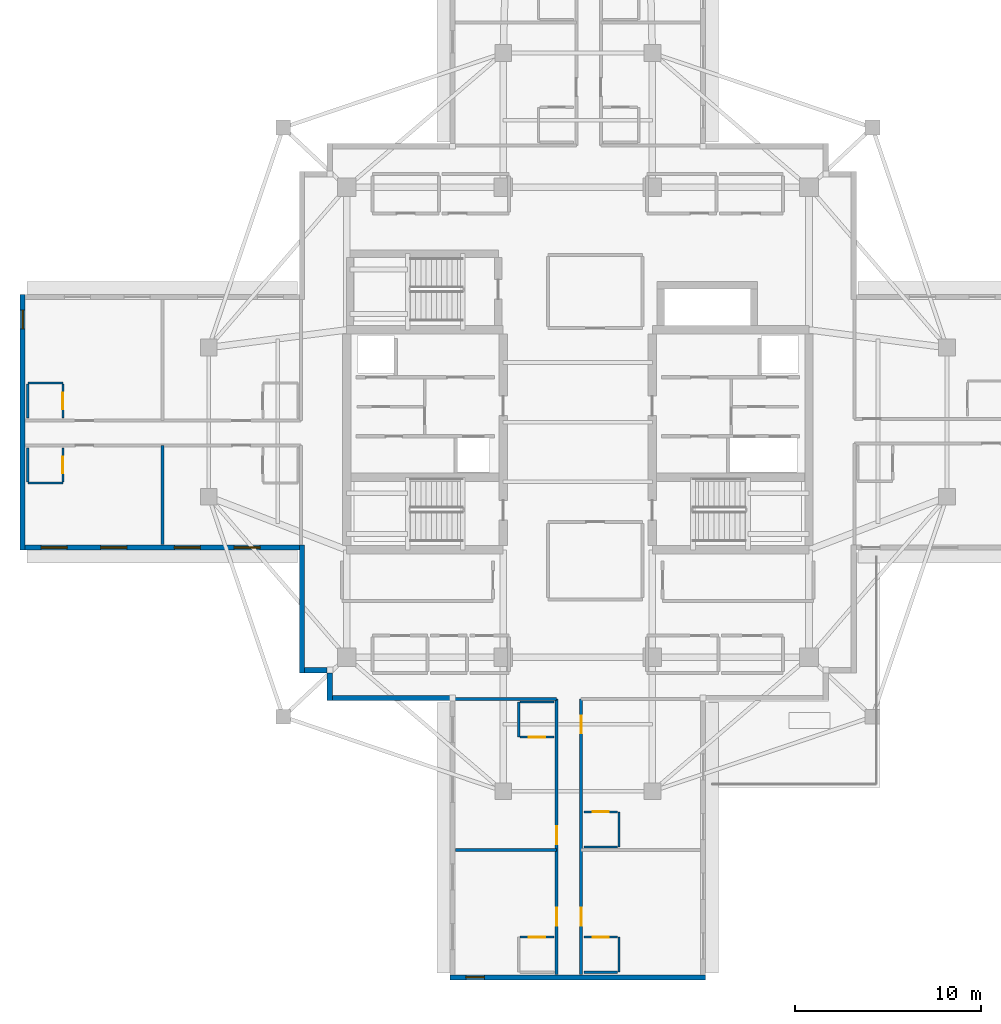
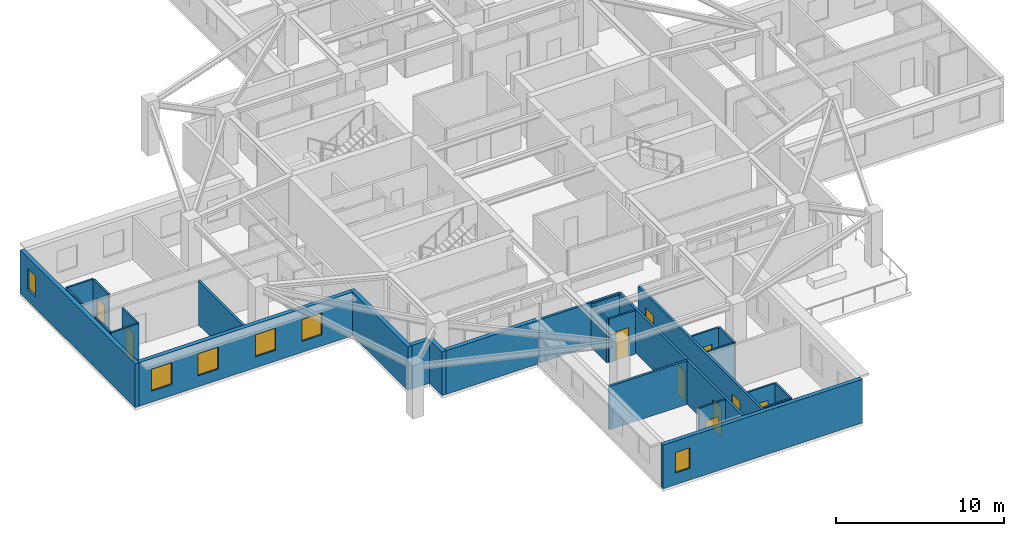
# One storey, part 3 of 13: 28 walls, 10 doors, 6 windows, 16 openings.
"""IFC4 building model written with IfcOpenShell, lengths in metres."""

from ifc_helpers import new_model, si_unit, direction, frame, frame_2d, origin, place, context, subcontext, project, spatial, rectangle, extrude, material, layer, layer_set, type_object, element, fill, save


model = new_model("IFC4")

# Units and contexts
model_context = context("Model", 3, precision=1e-05, world=origin(), true_north=direction((0.0, 1.0)))
body_context = subcontext(model_context, "Body", "Model", "MODEL_VIEW")
ifc_project = project(units=[si_unit("LENGTHUNIT", "METRE"), si_unit("AREAUNIT", "SQUARE_METRE"), si_unit("VOLUMEUNIT", "CUBIC_METRE"), si_unit("PLANEANGLEUNIT", "RADIAN"), si_unit("MASSUNIT", "GRAM", prefix="KILO")], contexts=[model_context])

# Site, building, storey
site_placement = place(None, origin())
site = spatial("IfcSite", under=ifc_project, at=site_placement, CompositionType="ELEMENT")
building_placement = place(site_placement, origin())
building = spatial("IfcBuilding", under=site, at=building_placement, Name="Qingluan Cross Belvedere", CompositionType="ELEMENT")
storey_placement = place(building_placement, frame((0.0, 0.0, 224.699951171875)))
storey = spatial("IfcBuildingStorey", under=building, at=storey_placement, Name="L56", CompositionType="ELEMENT", Elevation=224.699951171875)

# Wall
ifc_material_1 = material(Name="Gypsum plasterboard on steel stud acoustic partition", Category="steel")
ifc_layer_1 = layer(ifc_material_1, 0.159912109375, Name="CorridorPartition_160")
ifc_layer_set_1 = layer_set([ifc_layer_1], Name="Gypsum plasterboard on steel stud acoustic partition")
wall_type_1 = type_object("IfcWallType", Name="CorridorPartition_160", PredefinedType="PARTITIONING", material=ifc_layer_set_1)
wall_1_placement = place(storey_placement, frame((-22.26708984375, -1.239990234375, 0.0), z_axis=(0.0, 0.0, 1.0), x_axis=(0.0, -1.0, 0.0)))
element("IfcWall", 1, at=wall_1_placement, inside=storey, type_object=wall_type_1, Name="Partition L56:W:d1_0", PredefinedType="PARTITIONING", context=body_context, shape_type="SweptSolid", body=[
    extrude(rectangle(XDim=5.33203125, YDim=0.159912109375, at=frame_2d((2.666015625, 0.0))), origin(), (0.0, 0.0, 1.0), 3.170166015625),
])

# Wall, openings, doors
wall_2_placement = place(storey_placement, frame((0.179931640625, -14.85009765625, 0.0), z_axis=(0.0, 0.0, 1.0), x_axis=(0.0, -1.0, 0.0)))
wall_2 = element("IfcWall", 2, at=wall_2_placement, inside=storey, type_object=wall_type_1, Name="Partition L56:S:c0", PredefinedType="PARTITIONING", context=body_context, shape_type="SweptSolid", body=[
    extrude(rectangle(XDim=14.781982421875, YDim=0.159912109375, at=frame_2d((7.39111328125, 0.0))), origin(), (0.0, 0.0, 1.0), 3.170166015625),
])
opening_1_placement = place(wall_2_placement, frame((0.884033203125, 0.0, 0.0)))
opening_1 = element("IfcOpeningElement", 3, at=opening_1_placement, cuts=wall_2, Name="Opening GD-10", PredefinedType="OPENING", context=body_context, shape_type="SweptSolid", body=[
    extrude(rectangle(XDim=0.9599609375, YDim=2.14990234375, at=frame_2d((0.47998046875, 1.074951171875))), frame((0.0, 0.08984375, 0.0), z_axis=(0.0, -1.0, 0.0), x_axis=(1.0, 0.0, 0.0)), (0.0, 0.0, 1.0), 0.179931640625),
])
opening_2_placement = place(wall_2_placement, frame((11.197998046875, 0.0, 0.0)))
opening_2 = element("IfcOpeningElement", 4, at=opening_2_placement, cuts=wall_2, Name="Opening GD-10", PredefinedType="OPENING", context=body_context, shape_type="SweptSolid", body=[
    extrude(rectangle(XDim=0.9599609375, YDim=2.14990234375, at=frame_2d((0.47998046875, 1.074951171875))), frame((0.0, 0.08984375, 0.0), z_axis=(0.0, -1.0, 0.0), x_axis=(1.0, 0.0, 0.0)), (0.0, 0.0, 1.0), 0.179931640625),
])
ifc_material_2 = material(Name="Timber oak fire-rated acoustic guestroom door", Category="wood")
door_type_1 = type_object("IfcDoorType", Name="GuestEntryDoor_FD60", OperationType="NOTDEFINED", PredefinedType="DOOR", material=ifc_material_2)
door_1_placement = place(opening_1_placement, origin())
door_1 = element("IfcDoor", 5, at=door_1_placement, inside=storey, type_object=door_type_1, Name="Guest entry fire door 5615", OperationType="SINGLE_SWING_LEFT", OverallHeight=2.14990234375, OverallWidth=0.9599609375, PredefinedType="DOOR", context=body_context, shape_type="SweptSolid", body=[
    extrude(rectangle(XDim=0.9599609375, YDim=2.14990234375, at=frame_2d((0.47998046875, 1.074951171875))), frame((0.0, 0.02490234375, 0.0), z_axis=(0.0, -1.0, 0.0), x_axis=(1.0, 0.0, 0.0)), (0.0, 0.0, 1.0), 0.050048828125),
])
fill(opening_1, door_1)
door_2_placement = place(opening_2_placement, origin())
door_2 = element("IfcDoor", 6, at=door_2_placement, inside=storey, type_object=door_type_1, Name="Guest entry fire door 5616", OperationType="SINGLE_SWING_LEFT", OverallHeight=2.14990234375, OverallWidth=0.9599609375, PredefinedType="DOOR", context=body_context, shape_type="SweptSolid", body=[
    extrude(rectangle(XDim=0.9599609375, YDim=2.14990234375, at=frame_2d((0.47998046875, 1.074951171875))), frame((0.0, 0.02490234375, 0.0), z_axis=(0.0, -1.0, 0.0), x_axis=(1.0, 0.0, 0.0)), (0.0, 0.0, 1.0), 0.050048828125),
])
fill(opening_2, door_2)

wall_3_placement = place(storey_placement, frame((-1.139892578125, -14.85009765625, 0.0), z_axis=(0.0, 0.0, 1.0), x_axis=(0.0, -1.0, 0.0)))
wall_3 = element("IfcWall", 7, at=wall_3_placement, inside=storey, type_object=wall_type_1, Name="Partition L56:S:c1", PredefinedType="PARTITIONING", context=body_context, shape_type="SweptSolid", body=[
    extrude(rectangle(XDim=14.781982421875, YDim=0.159912109375, at=frame_2d((7.39111328125, 0.0))), origin(), (0.0, 0.0, 1.0), 3.170166015625),
])
opening_3_placement = place(wall_3_placement, frame((6.83203125, 0.0, 0.0)))
opening_3 = element("IfcOpeningElement", 8, at=opening_3_placement, cuts=wall_3, Name="Opening GD-10", PredefinedType="OPENING", context=body_context, shape_type="SweptSolid", body=[
    extrude(rectangle(XDim=0.9599609375, YDim=2.14990234375, at=frame_2d((0.47998046875, 1.074951171875))), frame((0.0, 0.08984375, 0.0), z_axis=(0.0, -1.0, 0.0), x_axis=(1.0, 0.0, 0.0)), (0.0, 0.0, 1.0), 0.179931640625),
])
opening_4_placement = place(wall_3_placement, frame((11.197998046875, 0.0, 0.0)))
opening_4 = element("IfcOpeningElement", 9, at=opening_4_placement, cuts=wall_3, Name="Opening GD-10", PredefinedType="OPENING", context=body_context, shape_type="SweptSolid", body=[
    extrude(rectangle(XDim=0.9599609375, YDim=2.14990234375, at=frame_2d((0.47998046875, 1.074951171875))), frame((0.0, 0.08984375, 0.0), z_axis=(0.0, -1.0, 0.0), x_axis=(1.0, 0.0, 0.0)), (0.0, 0.0, 1.0), 0.179931640625),
])
door_3_placement = place(opening_3_placement, origin())
door_3 = element("IfcDoor", 10, at=door_3_placement, inside=storey, type_object=door_type_1, Name="Guest entry fire door 5617", OperationType="SINGLE_SWING_LEFT", OverallHeight=2.14990234375, OverallWidth=0.9599609375, PredefinedType="DOOR", context=body_context, shape_type="SweptSolid", body=[
    extrude(rectangle(XDim=0.9599609375, YDim=2.14990234375, at=frame_2d((0.47998046875, 1.074951171875))), frame((0.0, 0.02490234375, 0.0), z_axis=(0.0, -1.0, 0.0), x_axis=(1.0, 0.0, 0.0)), (0.0, 0.0, 1.0), 0.050048828125),
])
fill(opening_3, door_3)
door_4_placement = place(opening_4_placement, origin())
door_4 = element("IfcDoor", 11, at=door_4_placement, inside=storey, type_object=door_type_1, Name="Guest entry fire door 5618", OperationType="SINGLE_SWING_LEFT", OverallHeight=2.14990234375, OverallWidth=0.9599609375, PredefinedType="DOOR", context=body_context, shape_type="SweptSolid", body=[
    extrude(rectangle(XDim=0.9599609375, YDim=2.14990234375, at=frame_2d((0.47998046875, 1.074951171875))), frame((0.0, 0.02490234375, 0.0), z_axis=(0.0, -1.0, 0.0), x_axis=(1.0, 0.0, 0.0)), (0.0, 0.0, 1.0), 0.050048828125),
])
fill(opening_4, door_4)

# Walls
wall_4_placement = place(storey_placement, frame((-1.139892578125, -14.85009765625, 0.0), z_axis=(0.0, 0.0, 1.0), x_axis=(-1.0, 0.0, 0.0)))
element("IfcWall", 12, at=wall_4_placement, inside=storey, type_object=wall_type_1, Name="Partition L56:S:s1", PredefinedType="PARTITIONING", context=body_context, shape_type="SweptSolid", body=[
    extrude(rectangle(XDim=5.580078125, YDim=0.159912109375, at=frame_2d((2.7900390625, 0.0))), origin(), (0.0, 0.0, 1.0), 3.170166015625),
])
wall_5_placement = place(storey_placement, frame((-1.139892578125, -22.94189453125, 0.0), z_axis=(0.0, 0.0, 1.0), x_axis=(-1.0, 0.0, 0.0)))
element("IfcWall", 13, at=wall_5_placement, inside=storey, type_object=wall_type_1, Name="Partition L56:S:d1_0", PredefinedType="PARTITIONING", context=body_context, shape_type="SweptSolid", body=[
    extrude(rectangle(XDim=5.43212890625, YDim=0.159912109375, at=frame_2d((2.716064453125, 0.0))), origin(), (0.0, 0.0, 1.0), 3.170166015625),
])

# Wall, opening, door
ifc_material_3 = material(Name="Moisture-resistant gypsum board lining")
ifc_layer_2 = layer(ifc_material_3, 0.1201171875, Name="EnsuiteWetPartition_120")
ifc_layer_set_2 = layer_set([ifc_layer_2], Name="Moisture-resistant gypsum board lining")
wall_type_2 = type_object("IfcWallType", Name="EnsuiteWetPartition_120", PredefinedType="PARTITIONING", material=ifc_layer_set_2)
wall_6_placement = place(storey_placement, frame((-27.6201171875, 0.219970703125, 0.0), z_axis=(0.0, 0.0, 1.0), x_axis=(0.0, 1.0, 0.0)))
wall_6 = element("IfcWall", 14, at=wall_6_placement, inside=storey, type_object=wall_type_2, Name="Partition L56:W:bs0_1", PredefinedType="PARTITIONING", context=body_context, shape_type="SweptSolid", body=[
    extrude(rectangle(XDim=1.820068359375, YDim=0.1201171875, at=frame_2d((0.91015625, 0.0))), origin(), (0.0, 0.0, 1.0), 3.170166015625),
])
opening_5_placement = place(wall_6_placement, frame((0.469970703125, 0.0, 0.0)))
opening_5 = element("IfcOpeningElement", 15, at=opening_5_placement, cuts=wall_6, Name="Opening BD-09", PredefinedType="OPENING", context=body_context, shape_type="SweptSolid", body=[
    extrude(rectangle(XDim=0.8798828125, YDim=2.10009765625, at=frame_2d((0.43994140625, 1.050048828125))), frame((0.0, 0.070068359375, 0.0), z_axis=(0.0, -1.0, 0.0), x_axis=(1.0, 0.0, 0.0)), (0.0, 0.0, 1.0), 0.14013671875),
])
ifc_material_4 = material(Name="Moisture-sealed timber en-suite door", Category="wood")
door_type_2 = type_object("IfcDoorType", Name="BathroomDoor_880", OperationType="NOTDEFINED", PredefinedType="DOOR", material=ifc_material_4)
door_5_placement = place(opening_5_placement, origin())
door_5 = element("IfcDoor", 16, at=door_5_placement, inside=storey, type_object=door_type_2, Name="Bathroom door 5606", OperationType="SINGLE_SWING_RIGHT", OverallHeight=2.10009765625, OverallWidth=0.8798828125, PredefinedType="DOOR", context=body_context, shape_type="SweptSolid", body=[
    extrude(rectangle(XDim=0.8798828125, YDim=2.10009765625, at=frame_2d((0.43994140625, 1.050048828125))), frame((0.0, 0.02490234375, 0.0), z_axis=(0.0, -1.0, 0.0), x_axis=(1.0, 0.0, 0.0)), (0.0, 0.0, 1.0), 0.050048828125),
])
fill(opening_5, door_5)

# Walls
wall_7_placement = place(storey_placement, frame((-29.5, 0.219970703125, 0.0), z_axis=(0.0, 0.0, 1.0), x_axis=(0.0, 1.0, 0.0)))
element("IfcWall", 17, at=wall_7_placement, inside=storey, type_object=wall_type_2, Name="Partition L56:W:bw0_1", PredefinedType="PARTITIONING", context=body_context, shape_type="SweptSolid", body=[
    extrude(rectangle(XDim=1.820068359375, YDim=0.1201171875, at=frame_2d((0.91015625, 0.0))), origin(), (0.0, 0.0, 1.0), 3.170166015625),
])
wall_8_placement = place(storey_placement, frame((-27.6201171875, 2.10498046875, 0.0), z_axis=(0.0, 0.0, 1.0), x_axis=(-1.0, 0.0, 0.0)))
element("IfcWall", 18, at=wall_8_placement, inside=storey, type_object=wall_type_2, Name="Partition L56:W:bn0_1", PredefinedType="PARTITIONING", context=body_context, shape_type="SweptSolid", body=[
    extrude(rectangle(XDim=1.8798828125, YDim=0.1201171875, at=frame_2d((0.93994140625, 0.0))), origin(), (0.0, 0.0, 1.0), 3.170166015625),
])

# Wall, opening, door
wall_9_placement = place(storey_placement, frame((-27.6201171875, -3.199951171875, 0.0), z_axis=(0.0, 0.0, 1.0), x_axis=(0.0, 1.0, 0.0)))
wall_9 = element("IfcWall", 19, at=wall_9_placement, inside=storey, type_object=wall_type_2, Name="Partition L56:W:bs1_1", PredefinedType="PARTITIONING", context=body_context, shape_type="SweptSolid", body=[
    extrude(rectangle(XDim=1.820068359375, YDim=0.1201171875, at=frame_2d((0.91015625, 0.0))), origin(), (0.0, 0.0, 1.0), 3.170166015625),
])
opening_6_placement = place(wall_9_placement, frame((0.469970703125, 0.0, 0.0)))
opening_6 = element("IfcOpeningElement", 20, at=opening_6_placement, cuts=wall_9, Name="Opening BD-09", PredefinedType="OPENING", context=body_context, shape_type="SweptSolid", body=[
    extrude(rectangle(XDim=0.8798828125, YDim=2.10009765625, at=frame_2d((0.43994140625, 1.050048828125))), frame((0.0, 0.070068359375, 0.0), z_axis=(0.0, -1.0, 0.0), x_axis=(1.0, 0.0, 0.0)), (0.0, 0.0, 1.0), 0.14013671875),
])
door_6_placement = place(opening_6_placement, origin())
door_6 = element("IfcDoor", 21, at=door_6_placement, inside=storey, type_object=door_type_2, Name="Bathroom door 5608", OperationType="SINGLE_SWING_RIGHT", OverallHeight=2.10009765625, OverallWidth=0.8798828125, PredefinedType="DOOR", context=body_context, shape_type="SweptSolid", body=[
    extrude(rectangle(XDim=0.8798828125, YDim=2.10009765625, at=frame_2d((0.43994140625, 1.050048828125))), frame((0.0, 0.02490234375, 0.0), z_axis=(0.0, -1.0, 0.0), x_axis=(1.0, 0.0, 0.0)), (0.0, 0.0, 1.0), 0.050048828125),
])
fill(opening_6, door_6)

# Walls
wall_10_placement = place(storey_placement, frame((-29.5, -3.199951171875, 0.0), z_axis=(0.0, 0.0, 1.0), x_axis=(0.0, 1.0, 0.0)))
element("IfcWall", 22, at=wall_10_placement, inside=storey, type_object=wall_type_2, Name="Partition L56:W:bw1_1", PredefinedType="PARTITIONING", context=body_context, shape_type="SweptSolid", body=[
    extrude(rectangle(XDim=1.820068359375, YDim=0.1201171875, at=frame_2d((0.91015625, 0.0))), origin(), (0.0, 0.0, 1.0), 3.170166015625),
])
wall_11_placement = place(storey_placement, frame((-27.6201171875, -3.264892578125, 0.0), z_axis=(0.0, 0.0, 1.0), x_axis=(-1.0, 0.0, 0.0)))
element("IfcWall", 23, at=wall_11_placement, inside=storey, type_object=wall_type_2, Name="Partition L56:W:bc1_1", PredefinedType="PARTITIONING", context=body_context, shape_type="SweptSolid", body=[
    extrude(rectangle(XDim=1.8798828125, YDim=0.1201171875, at=frame_2d((0.93994140625, 0.0))), origin(), (0.0, 0.0, 1.0), 3.170166015625),
])

# Wall, opening, door
wall_12_placement = place(storey_placement, frame((0.320068359375, -20.902099609375, 0.0), z_axis=(0.0, 0.0, 1.0), x_axis=(1.0, 0.0, 0.0)))
wall_12 = element("IfcWall", 24, at=wall_12_placement, inside=storey, type_object=wall_type_2, Name="Partition L56:S:bs0_0", PredefinedType="PARTITIONING", context=body_context, shape_type="SweptSolid", body=[
    extrude(rectangle(XDim=1.81982421875, YDim=0.1201171875, at=frame_2d((0.909912109375, 0.0))), origin(), (0.0, 0.0, 1.0), 3.170166015625),
])
opening_7_placement = place(wall_12_placement, frame((0.469970703125, 0.0, 0.0)))
opening_7 = element("IfcOpeningElement", 25, at=opening_7_placement, cuts=wall_12, Name="Opening BD-09", PredefinedType="OPENING", context=body_context, shape_type="SweptSolid", body=[
    extrude(rectangle(XDim=0.8798828125, YDim=2.10009765625, at=frame_2d((0.43994140625, 1.050048828125))), frame((0.0, 0.070068359375, 0.0), z_axis=(0.0, -1.0, 0.0), x_axis=(1.0, 0.0, 0.0)), (0.0, 0.0, 1.0), 0.14013671875),
])
door_7_placement = place(opening_7_placement, origin())
door_7 = element("IfcDoor", 26, at=door_7_placement, inside=storey, type_object=door_type_2, Name="Bathroom door 5615", OperationType="SINGLE_SWING_RIGHT", OverallHeight=2.10009765625, OverallWidth=0.8798828125, PredefinedType="DOOR", context=body_context, shape_type="SweptSolid", body=[
    extrude(rectangle(XDim=0.8798828125, YDim=2.10009765625, at=frame_2d((0.43994140625, 1.050048828125))), frame((0.0, 0.02490234375, 0.0), z_axis=(0.0, -1.0, 0.0), x_axis=(1.0, 0.0, 0.0)), (0.0, 0.0, 1.0), 0.050048828125),
])
fill(opening_7, door_7)

# Walls
wall_13_placement = place(storey_placement, frame((0.320068359375, -22.781982421875, 0.0), z_axis=(0.0, 0.0, 1.0), x_axis=(1.0, 0.0, 0.0)))
element("IfcWall", 27, at=wall_13_placement, inside=storey, type_object=wall_type_2, Name="Partition L56:S:bw0_0", PredefinedType="PARTITIONING", context=body_context, shape_type="SweptSolid", body=[
    extrude(rectangle(XDim=1.81982421875, YDim=0.1201171875, at=frame_2d((0.909912109375, 0.0))), origin(), (0.0, 0.0, 1.0), 3.170166015625),
])
wall_14_placement = place(storey_placement, frame((2.205078125, -20.902099609375, 0.0), z_axis=(0.0, 0.0, 1.0), x_axis=(0.0, -1.0, 0.0)))
element("IfcWall", 28, at=wall_14_placement, inside=storey, type_object=wall_type_2, Name="Partition L56:S:bn0_0", PredefinedType="PARTITIONING", context=body_context, shape_type="SweptSolid", body=[
    extrude(rectangle(XDim=1.8798828125, YDim=0.1201171875, at=frame_2d((0.93994140625, 0.0))), origin(), (0.0, 0.0, 1.0), 3.170166015625),
])

# Wall, opening, door
wall_15_placement = place(storey_placement, frame((0.320068359375, -27.6201171875, 0.0), z_axis=(0.0, 0.0, 1.0), x_axis=(1.0, 0.0, 0.0)))
wall_15 = element("IfcWall", 29, at=wall_15_placement, inside=storey, type_object=wall_type_2, Name="Partition L56:S:bs0_1", PredefinedType="PARTITIONING", context=body_context, shape_type="SweptSolid", body=[
    extrude(rectangle(XDim=1.81982421875, YDim=0.1201171875, at=frame_2d((0.909912109375, 0.0))), origin(), (0.0, 0.0, 1.0), 3.170166015625),
])
opening_8_placement = place(wall_15_placement, frame((0.469970703125, 0.0, 0.0)))
opening_8 = element("IfcOpeningElement", 30, at=opening_8_placement, cuts=wall_15, Name="Opening BD-09", PredefinedType="OPENING", context=body_context, shape_type="SweptSolid", body=[
    extrude(rectangle(XDim=0.8798828125, YDim=2.10009765625, at=frame_2d((0.43994140625, 1.050048828125))), frame((0.0, 0.070068359375, 0.0), z_axis=(0.0, -1.0, 0.0), x_axis=(1.0, 0.0, 0.0)), (0.0, 0.0, 1.0), 0.14013671875),
])
door_8_placement = place(opening_8_placement, origin())
door_8 = element("IfcDoor", 31, at=door_8_placement, inside=storey, type_object=door_type_2, Name="Bathroom door 5616", OperationType="SINGLE_SWING_RIGHT", OverallHeight=2.10009765625, OverallWidth=0.8798828125, PredefinedType="DOOR", context=body_context, shape_type="SweptSolid", body=[
    extrude(rectangle(XDim=0.8798828125, YDim=2.10009765625, at=frame_2d((0.43994140625, 1.050048828125))), frame((0.0, 0.02490234375, 0.0), z_axis=(0.0, -1.0, 0.0), x_axis=(1.0, 0.0, 0.0)), (0.0, 0.0, 1.0), 0.050048828125),
])
fill(opening_8, door_8)

# Walls
wall_16_placement = place(storey_placement, frame((0.320068359375, -29.5, 0.0), z_axis=(0.0, 0.0, 1.0), x_axis=(1.0, 0.0, 0.0)))
element("IfcWall", 32, at=wall_16_placement, inside=storey, type_object=wall_type_2, Name="Partition L56:S:bw0_1", PredefinedType="PARTITIONING", context=body_context, shape_type="SweptSolid", body=[
    extrude(rectangle(XDim=1.81982421875, YDim=0.1201171875, at=frame_2d((0.909912109375, 0.0))), origin(), (0.0, 0.0, 1.0), 3.170166015625),
])
wall_17_placement = place(storey_placement, frame((2.205078125, -27.6201171875, 0.0), z_axis=(0.0, 0.0, 1.0), x_axis=(0.0, -1.0, 0.0)))
element("IfcWall", 33, at=wall_17_placement, inside=storey, type_object=wall_type_2, Name="Partition L56:S:bn0_1", PredefinedType="PARTITIONING", context=body_context, shape_type="SweptSolid", body=[
    extrude(rectangle(XDim=1.8798828125, YDim=0.1201171875, at=frame_2d((0.93994140625, 0.0))), origin(), (0.0, 0.0, 1.0), 3.170166015625),
])

# Wall, opening, door
wall_18_placement = place(storey_placement, frame((-3.10009765625, -16.889892578125, 0.0), z_axis=(0.0, 0.0, 1.0), x_axis=(1.0, 0.0, 0.0)))
wall_18 = element("IfcWall", 34, at=wall_18_placement, inside=storey, type_object=wall_type_2, Name="Partition L56:S:bs1_0", PredefinedType="PARTITIONING", context=body_context, shape_type="SweptSolid", body=[
    extrude(rectangle(XDim=1.820068359375, YDim=0.1201171875, at=frame_2d((0.91015625, 0.0))), origin(), (0.0, 0.0, 1.0), 3.170166015625),
])
opening_9_placement = place(wall_18_placement, frame((0.469970703125, 0.0, 0.0)))
opening_9 = element("IfcOpeningElement", 35, at=opening_9_placement, cuts=wall_18, Name="Opening BD-09", PredefinedType="OPENING", context=body_context, shape_type="SweptSolid", body=[
    extrude(rectangle(XDim=0.8798828125, YDim=2.10009765625, at=frame_2d((0.43994140625, 1.050048828125))), frame((0.0, 0.070068359375, 0.0), z_axis=(0.0, -1.0, 0.0), x_axis=(1.0, 0.0, 0.0)), (0.0, 0.0, 1.0), 0.14013671875),
])
door_9_placement = place(opening_9_placement, origin())
door_9 = element("IfcDoor", 36, at=door_9_placement, inside=storey, type_object=door_type_2, Name="Bathroom door 5617", OperationType="SINGLE_SWING_RIGHT", OverallHeight=2.10009765625, OverallWidth=0.8798828125, PredefinedType="DOOR", context=body_context, shape_type="SweptSolid", body=[
    extrude(rectangle(XDim=0.8798828125, YDim=2.10009765625, at=frame_2d((0.43994140625, 1.050048828125))), frame((0.0, 0.02490234375, 0.0), z_axis=(0.0, -1.0, 0.0), x_axis=(1.0, 0.0, 0.0)), (0.0, 0.0, 1.0), 0.050048828125),
])
fill(opening_9, door_9)

# Walls
wall_19_placement = place(storey_placement, frame((-3.10009765625, -15.010009765625, 0.0), z_axis=(0.0, 0.0, 1.0), x_axis=(1.0, 0.0, 0.0)))
element("IfcWall", 37, at=wall_19_placement, inside=storey, type_object=wall_type_2, Name="Partition L56:S:bw1_0", PredefinedType="PARTITIONING", context=body_context, shape_type="SweptSolid", body=[
    extrude(rectangle(XDim=1.820068359375, YDim=0.1201171875, at=frame_2d((0.91015625, 0.0))), origin(), (0.0, 0.0, 1.0), 3.170166015625),
])
wall_20_placement = place(storey_placement, frame((-3.1650390625, -15.010009765625, 0.0), z_axis=(0.0, 0.0, 1.0), x_axis=(0.0, -1.0, 0.0)))
element("IfcWall", 38, at=wall_20_placement, inside=storey, type_object=wall_type_2, Name="Partition L56:S:bc1_0", PredefinedType="PARTITIONING", context=body_context, shape_type="SweptSolid", body=[
    extrude(rectangle(XDim=1.8798828125, YDim=0.1201171875, at=frame_2d((0.93994140625, 0.0))), origin(), (0.0, 0.0, 1.0), 3.170166015625),
])

# Wall, opening, door
wall_21_placement = place(storey_placement, frame((-3.10009765625, -27.6201171875, 0.0), z_axis=(0.0, 0.0, 1.0), x_axis=(1.0, 0.0, 0.0)))
wall_21 = element("IfcWall", 39, at=wall_21_placement, inside=storey, type_object=wall_type_2, Name="Partition L56:S:bs1_1", PredefinedType="PARTITIONING", context=body_context, shape_type="SweptSolid", body=[
    extrude(rectangle(XDim=1.820068359375, YDim=0.1201171875, at=frame_2d((0.91015625, 0.0))), origin(), (0.0, 0.0, 1.0), 3.170166015625),
])
opening_10_placement = place(wall_21_placement, frame((0.469970703125, 0.0, 0.0)))
opening_10 = element("IfcOpeningElement", 40, at=opening_10_placement, cuts=wall_21, Name="Opening BD-09", PredefinedType="OPENING", context=body_context, shape_type="SweptSolid", body=[
    extrude(rectangle(XDim=0.8798828125, YDim=2.10009765625, at=frame_2d((0.43994140625, 1.050048828125))), frame((0.0, 0.070068359375, 0.0), z_axis=(0.0, -1.0, 0.0), x_axis=(1.0, 0.0, 0.0)), (0.0, 0.0, 1.0), 0.14013671875),
])
door_10_placement = place(opening_10_placement, origin())
door_10 = element("IfcDoor", 41, at=door_10_placement, inside=storey, type_object=door_type_2, Name="Bathroom door 5618", OperationType="SINGLE_SWING_RIGHT", OverallHeight=2.10009765625, OverallWidth=0.8798828125, PredefinedType="DOOR", context=body_context, shape_type="SweptSolid", body=[
    extrude(rectangle(XDim=0.8798828125, YDim=2.10009765625, at=frame_2d((0.43994140625, 1.050048828125))), frame((0.0, 0.02490234375, 0.0), z_axis=(0.0, -1.0, 0.0), x_axis=(1.0, 0.0, 0.0)), (0.0, 0.0, 1.0), 0.050048828125),
])
fill(opening_10, door_10)

# Wall, openings, windows
ifc_material_5 = material(Name="Precast concrete C45", Category="concrete")
ifc_layer_3 = layer(ifc_material_5, 0.280029296875, Name="PrecastFacadeWall_280")
ifc_layer_set_3 = layer_set([ifc_layer_3], Name="Precast concrete C45")
wall_type_3 = type_object("IfcWallType", Name="PrecastFacadeWall_280", PredefinedType="STANDARD", material=ifc_layer_set_3)
wall_22_placement = place(storey_placement, frame((-29.639892578125, -6.719970703125, 0.0), z_axis=(0.0, 0.0, 1.0), x_axis=(1.0, 0.0, 0.0)))
wall_22 = element("IfcWall", 42, at=wall_22_placement, inside=storey, type_object=wall_type_3, Name="Facade wall L56-WB", PredefinedType="STANDARD", context=body_context, shape_type="SweptSolid", body=[
    extrude(rectangle(XDim=14.699951171875, YDim=0.280029296875, at=frame_2d((7.35009765625, 0.0))), origin(), (0.0, 0.0, 1.0), 3.179931640625),
])
opening_11_placement = place(wall_22_placement, frame((0.85009765625, 0.0, 0.800048828125)))
opening_11 = element("IfcOpeningElement", 43, at=opening_11_placement, cuts=wall_22, Name="Opening W-01", PredefinedType="OPENING", context=body_context, shape_type="SweptSolid", body=[
    extrude(rectangle(XDim=1.39990234375, YDim=1.60009765625, at=frame_2d((0.699951171875, 0.800048828125))), frame((0.0, 0.14990234375, 0.0), z_axis=(0.0, -1.0, 0.0), x_axis=(1.0, 0.0, 0.0)), (0.0, 0.0, 1.0), 0.300048828125),
])
opening_12_placement = place(wall_22_placement, frame((4.050048828125, 0.0, 0.800048828125)))
opening_12 = element("IfcOpeningElement", 44, at=opening_12_placement, cuts=wall_22, Name="Opening W-01", PredefinedType="OPENING", context=body_context, shape_type="SweptSolid", body=[
    extrude(rectangle(XDim=1.39990234375, YDim=1.60009765625, at=frame_2d((0.699951171875, 0.800048828125))), frame((0.0, 0.14990234375, 0.0), z_axis=(0.0, -1.0, 0.0), x_axis=(1.0, 0.0, 0.0)), (0.0, 0.0, 1.0), 0.300048828125),
])
opening_13_placement = place(wall_22_placement, frame((8.0, 0.0, 0.800048828125)))
opening_13 = element("IfcOpeningElement", 45, at=opening_13_placement, cuts=wall_22, Name="Opening W-01", PredefinedType="OPENING", context=body_context, shape_type="SweptSolid", body=[
    extrude(rectangle(XDim=1.39990234375, YDim=1.60009765625, at=frame_2d((0.699951171875, 0.800048828125))), frame((0.0, 0.14990234375, 0.0), z_axis=(0.0, -1.0, 0.0), x_axis=(1.0, 0.0, 0.0)), (0.0, 0.0, 1.0), 0.300048828125),
])
opening_14_placement = place(wall_22_placement, frame((11.199951171875, 0.0, 0.800048828125)))
opening_14 = element("IfcOpeningElement", 46, at=opening_14_placement, cuts=wall_22, Name="Opening W-01", PredefinedType="OPENING", context=body_context, shape_type="SweptSolid", body=[
    extrude(rectangle(XDim=1.39990234375, YDim=1.60009765625, at=frame_2d((0.699951171875, 0.800048828125))), frame((0.0, 0.14990234375, 0.0), z_axis=(0.0, -1.0, 0.0), x_axis=(1.0, 0.0, 0.0)), (0.0, 0.0, 1.0), 0.300048828125),
])
ifc_material_6 = material(Name="Thermally broken triple Low-E glass in aluminium frame", Category="aluminium")
window_type_1 = type_object("IfcWindowType", Name="TriRibbonWin_1400x1600", PartitioningType="SINGLE_PANEL", PredefinedType="WINDOW", material=ifc_material_6)
window_1_placement = place(opening_11_placement, origin())
window_1 = element("IfcWindow", 47, at=window_1_placement, inside=storey, type_object=window_type_1, Name="Ribbon window L56-WB-1", OverallHeight=1.60009765625, OverallWidth=1.39990234375, PartitioningType="SINGLE_PANEL", PredefinedType="WINDOW", context=body_context, shape_type="SweptSolid", body=[
    extrude(rectangle(XDim=1.39990234375, YDim=1.60009765625, at=frame_2d((0.699951171875, 0.800048828125))), frame((0.0, 0.030029296875, 0.0), z_axis=(0.0, -1.0, 0.0), x_axis=(1.0, 0.0, 0.0)), (0.0, 0.0, 1.0), 0.06005859375),
])
fill(opening_11, window_1)
window_2_placement = place(opening_12_placement, origin())
window_2 = element("IfcWindow", 48, at=window_2_placement, inside=storey, type_object=window_type_1, Name="Ribbon window L56-WB-2", OverallHeight=1.60009765625, OverallWidth=1.39990234375, PartitioningType="SINGLE_PANEL", PredefinedType="WINDOW", context=body_context, shape_type="SweptSolid", body=[
    extrude(rectangle(XDim=1.39990234375, YDim=1.60009765625, at=frame_2d((0.699951171875, 0.800048828125))), frame((0.0, 0.030029296875, 0.0), z_axis=(0.0, -1.0, 0.0), x_axis=(1.0, 0.0, 0.0)), (0.0, 0.0, 1.0), 0.06005859375),
])
fill(opening_12, window_2)
window_3_placement = place(opening_13_placement, origin())
window_3 = element("IfcWindow", 49, at=window_3_placement, inside=storey, type_object=window_type_1, Name="Ribbon window L56-WB-3", OverallHeight=1.60009765625, OverallWidth=1.39990234375, PartitioningType="SINGLE_PANEL", PredefinedType="WINDOW", context=body_context, shape_type="SweptSolid", body=[
    extrude(rectangle(XDim=1.39990234375, YDim=1.60009765625, at=frame_2d((0.699951171875, 0.800048828125))), frame((0.0, 0.030029296875, 0.0), z_axis=(0.0, -1.0, 0.0), x_axis=(1.0, 0.0, 0.0)), (0.0, 0.0, 1.0), 0.06005859375),
])
fill(opening_13, window_3)
window_4_placement = place(opening_14_placement, origin())
window_4 = element("IfcWindow", 50, at=window_4_placement, inside=storey, type_object=window_type_1, Name="Ribbon window L56-WB-4", OverallHeight=1.60009765625, OverallWidth=1.39990234375, PartitioningType="SINGLE_PANEL", PredefinedType="WINDOW", context=body_context, shape_type="SweptSolid", body=[
    extrude(rectangle(XDim=1.39990234375, YDim=1.60009765625, at=frame_2d((0.699951171875, 0.800048828125))), frame((0.0, 0.030029296875, 0.0), z_axis=(0.0, -1.0, 0.0), x_axis=(1.0, 0.0, 0.0)), (0.0, 0.0, 1.0), 0.06005859375),
])
fill(opening_14, window_4)

# Wall, opening, window
wall_23_placement = place(storey_placement, frame((-29.780029296875, 6.860107421875, 0.0), z_axis=(0.0, 0.0, 1.0), x_axis=(0.0, -1.0, 0.0)))
wall_23 = element("IfcWall", 51, at=wall_23_placement, inside=storey, type_object=wall_type_3, Name="Arm tip precast facade wall L56-W", PredefinedType="STANDARD", context=body_context, shape_type="SweptSolid", body=[
    extrude(rectangle(XDim=13.72021484375, YDim=0.280029296875, at=frame_2d((6.860107421875, 0.0))), origin(), (0.0, 0.0, 1.0), 3.179931640625),
])
opening_15_placement = place(wall_23_placement, frame((0.85009765625, 0.0, 0.85009765625)))
opening_15 = element("IfcOpeningElement", 52, at=opening_15_placement, cuts=wall_23, Name="Opening W-03", PredefinedType="OPENING", context=body_context, shape_type="SweptSolid", body=[
    extrude(rectangle(XDim=1.0, YDim=1.5, at=frame_2d((0.5, 0.75))), frame((0.0, 0.14990234375, 0.0), z_axis=(0.0, -1.0, 0.0), x_axis=(1.0, 0.0, 0.0)), (0.0, 0.0, 1.0), 0.300048828125),
])
ifc_material_7 = material(Name="Thermally broken triple Low-E glass in aluminium frame", Category="aluminium")
window_type_2 = type_object("IfcWindowType", Name="TriApexWin_1000x1500", PartitioningType="SINGLE_PANEL", PredefinedType="WINDOW", material=ifc_material_7)
window_5_placement = place(opening_15_placement, origin())
window_5 = element("IfcWindow", 53, at=window_5_placement, inside=storey, type_object=window_type_2, Name="Arm tip triangular window L56-W", OverallHeight=1.5, OverallWidth=1.0, PartitioningType="SINGLE_PANEL", PredefinedType="WINDOW", context=body_context, shape_type="SweptSolid", body=[
    extrude(rectangle(XDim=1.0, YDim=1.5, at=frame_2d((0.5, 0.75))), frame((0.0, 0.030029296875, 0.0), z_axis=(0.0, -1.0, 0.0), x_axis=(1.0, 0.0, 0.0)), (0.0, 0.0, 1.0), 0.06005859375),
])
fill(opening_15, window_5)

wall_24_placement = place(storey_placement, frame((-6.860107421875, -29.780029296875, 0.0), z_axis=(0.0, 0.0, 1.0), x_axis=(1.0, 0.0, 0.0)))
wall_24 = element("IfcWall", 54, at=wall_24_placement, inside=storey, type_object=wall_type_3, Name="Arm tip precast facade wall L56-S", PredefinedType="STANDARD", context=body_context, shape_type="SweptSolid", body=[
    extrude(rectangle(XDim=13.72021484375, YDim=0.280029296875, at=frame_2d((6.860107421875, 0.0))), origin(), (0.0, 0.0, 1.0), 3.179931640625),
])
opening_16_placement = place(wall_24_placement, frame((0.85009765625, 0.0, 0.85009765625)))
opening_16 = element("IfcOpeningElement", 55, at=opening_16_placement, cuts=wall_24, Name="Opening W-03", PredefinedType="OPENING", context=body_context, shape_type="SweptSolid", body=[
    extrude(rectangle(XDim=1.0, YDim=1.5, at=frame_2d((0.5, 0.75))), frame((0.0, 0.14990234375, 0.0), z_axis=(0.0, -1.0, 0.0), x_axis=(1.0, 0.0, 0.0)), (0.0, 0.0, 1.0), 0.300048828125),
])
window_6_placement = place(opening_16_placement, origin())
window_6 = element("IfcWindow", 56, at=window_6_placement, inside=storey, type_object=window_type_2, Name="Arm tip triangular window L56-S", OverallHeight=1.5, OverallWidth=1.0, PartitioningType="SINGLE_PANEL", PredefinedType="WINDOW", context=body_context, shape_type="SweptSolid", body=[
    extrude(rectangle(XDim=1.0, YDim=1.5, at=frame_2d((0.5, 0.75))), frame((0.0, 0.030029296875, 0.0), z_axis=(0.0, -1.0, 0.0), x_axis=(1.0, 0.0, 0.0)), (0.0, 0.0, 1.0), 0.06005859375),
])
fill(opening_16, window_6)

# Walls
wall_25_placement = place(storey_placement, frame((-14.800048828125, -6.580078125, 0.0), z_axis=(0.0, 0.0, 1.0), x_axis=(0.0, -1.0, 0.0)))
element("IfcWall", 57, at=wall_25_placement, inside=storey, type_object=wall_type_3, Name="Corner wall L56-SW1", PredefinedType="STANDARD", context=body_context, shape_type="SweptSolid", body=[
    extrude(rectangle(XDim=6.85986328125, YDim=0.280029296875, at=frame_2d((3.429931640625, 0.0))), origin(), (0.0, 0.0, 1.0), 3.179931640625),
])
wall_26_placement = place(storey_placement, frame((-14.659912109375, -13.300048828125, 0.0), z_axis=(0.0, 0.0, 1.0), x_axis=(1.0, 0.0, 0.0)))
element("IfcWall", 58, at=wall_26_placement, inside=storey, type_object=wall_type_3, Name="Corner wall L56-SW2", PredefinedType="STANDARD", context=body_context, shape_type="SweptSolid", body=[
    extrude(rectangle(XDim=1.219970703125, YDim=0.280029296875, at=frame_2d((0.60986328125, 0.0))), origin(), (0.0, 0.0, 1.0), 3.179931640625),
])
wall_27_placement = place(storey_placement, frame((-13.300048828125, -13.43994140625, 0.0), z_axis=(0.0, 0.0, 1.0), x_axis=(0.0, -1.0, 0.0)))
element("IfcWall", 59, at=wall_27_placement, inside=storey, type_object=wall_type_3, Name="Corner wall L56-SW3", PredefinedType="STANDARD", context=body_context, shape_type="SweptSolid", body=[
    extrude(rectangle(XDim=1.5, YDim=0.280029296875, at=frame_2d((0.75, 0.0))), origin(), (0.0, 0.0, 1.0), 3.179931640625),
])
wall_28_placement = place(storey_placement, frame((-13.159912109375, -14.800048828125, 0.0), z_axis=(0.0, 0.0, 1.0), x_axis=(1.0, 0.0, 0.0)))
element("IfcWall", 60, at=wall_28_placement, inside=storey, type_object=wall_type_3, Name="Corner wall L56-SW4", PredefinedType="STANDARD", context=body_context, shape_type="SweptSolid", body=[
    extrude(rectangle(XDim=6.2998046875, YDim=0.280029296875, at=frame_2d((3.14990234375, 0.0))), origin(), (0.0, 0.0, 1.0), 3.179931640625),
])

save(model, "model.ifc")
